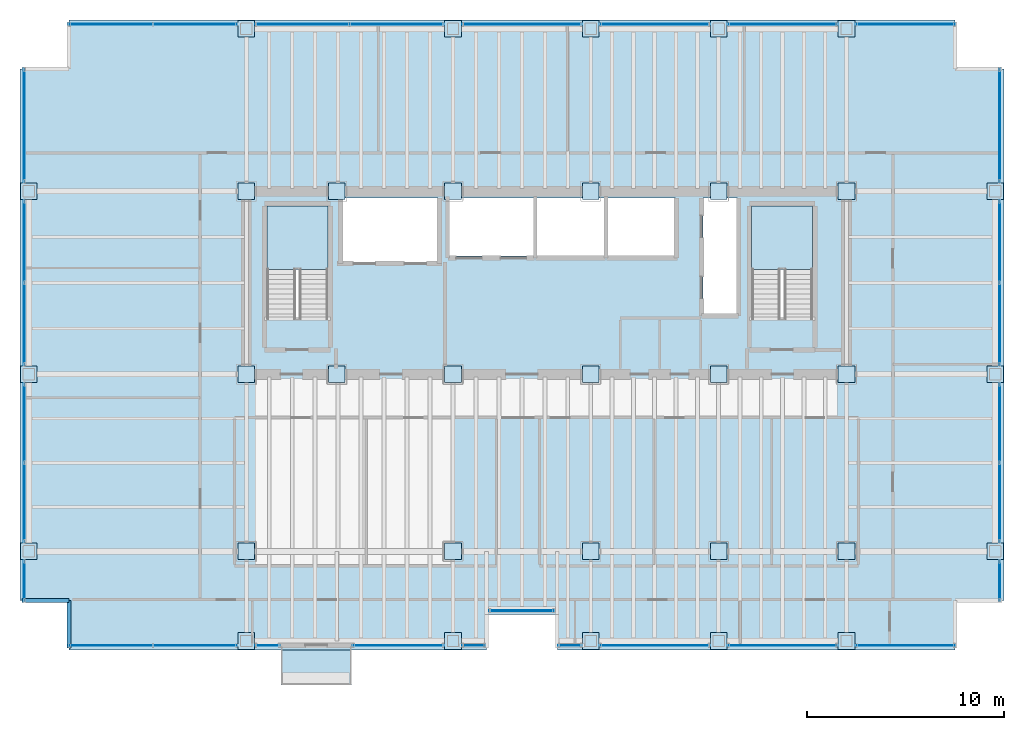
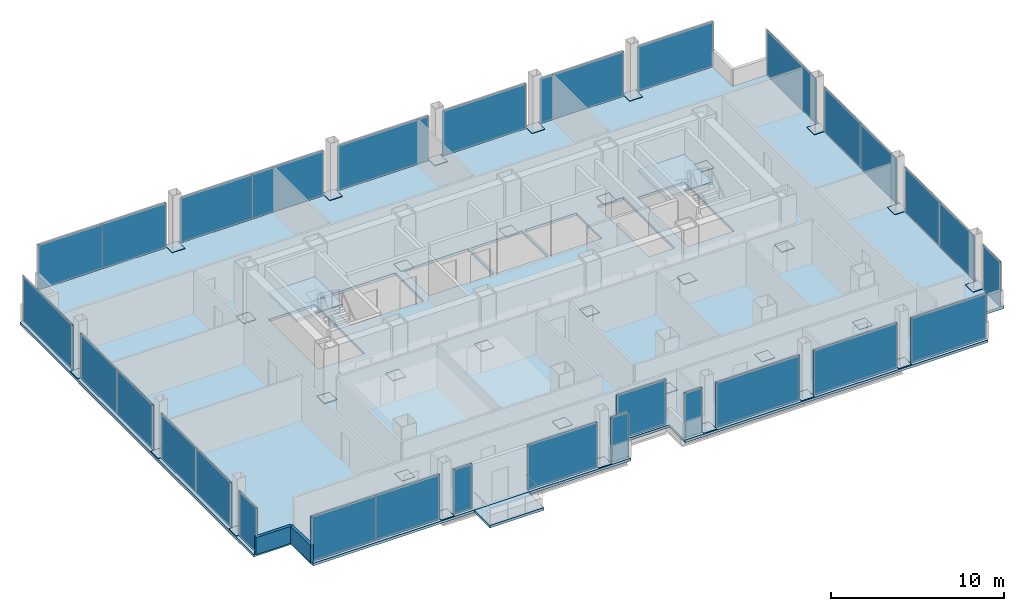
# One storey, part 17 of 21: 63 plates, 4 slabs, 2 walls, 7 openings, 25 elements without a shape of their own.
"""IFC4 building model written with IfcOpenShell, lengths in metres."""

from ifc_helpers import new_model, si_unit, direction, frame, frame_2d, origin, origin_2d, place, context, subcontext, project, spatial, polyline, rectangle, outline, extrude, material, layer, layer_set, type_object, element, aggregate, save


model = new_model("IFC4")

# Units and contexts
model_context = context("Model", 3, precision=1e-05, world=origin(), true_north=direction((0.0, 1.0)))
body_context = subcontext(model_context, "Body", "Model", "MODEL_VIEW")
ifc_project = project(units=[si_unit("LENGTHUNIT", "METRE"), si_unit("AREAUNIT", "SQUARE_METRE"), si_unit("VOLUMEUNIT", "CUBIC_METRE"), si_unit("PLANEANGLEUNIT", "RADIAN"), si_unit("MASSUNIT", "GRAM", prefix="KILO")], contexts=[model_context])

# Site, building, storey
site_placement = place(None, origin())
site = spatial("IfcSite", under=ifc_project, at=site_placement, CompositionType="ELEMENT")
building_placement = place(site_placement, origin())
building = spatial("IfcBuilding", under=site, at=building_placement, Name="Noeulbin Bourse Tower", CompositionType="ELEMENT")
storey_placement = place(building_placement, frame((0.0, 0.0, 34.300048828125)))
storey = spatial("IfcBuildingStorey", under=building, at=storey_placement, Name="L08", CompositionType="ELEMENT", Elevation=34.300048828125)

# Curtain wall, plate
ifc_material_1 = material(Name="Dark Solar-Control Double Glazing", Category="glass")
curtain_wall_type = type_object("IfcCurtainWallType", Name="CW-SYS-2", PredefinedType="NOTDEFINED", material=ifc_material_1)
curtain_wall_1_placement = place(storey_placement, origin())
curtain_wall_1 = element("IfcCurtainWall", 1, at=curtain_wall_1_placement, inside=storey, type_object=curtain_wall_type, Name="Unitised Curtain Wall CW-L08-SREC", PredefinedType="NOTDEFINED")
ifc_layer_1 = layer(ifc_material_1, 0.035888671875)
ifc_layer_set_1 = layer_set([ifc_layer_1], Name="Dark Solar-Control Double Glazing")
plate_type_1 = type_object("IfcPlateType", Name="CW-SYS-2-PNL", PredefinedType="CURTAIN_PANEL", material=ifc_layer_set_1)
plate_1_placement = place(storey_placement, frame((27.5, 16.97998046875, 0.0), z_axis=(0.0, 0.0, 1.0), x_axis=(1.0, 0.0, 0.0)))
plate_1 = element("IfcPlate", 2, at=plate_1_placement, type_object=plate_type_1, Name="Glazed Curtain Panel CW-L08-SREC-P00", PredefinedType="CURTAIN_PANEL", context=body_context, shape_type="SweptSolid", body=[
    extrude(rectangle(XDim=3.300048828125, YDim=0.035888671875, at=origin_2d()), origin(), (0.0, 0.0, 1.0), 3.179931640625),
])
aggregate(curtain_wall_1, [plate_1])

# Curtain wall, plates
curtain_wall_2_placement = place(storey_placement, origin())
curtain_wall_2 = element("IfcCurtainWall", 3, at=curtain_wall_2_placement, inside=storey, type_object=curtain_wall_type, Name="Unitised Curtain Wall CW-L08-S1-S1", PredefinedType="NOTDEFINED")
plate_2_placement = place(storey_placement, frame((6.6201171875, 15.219970703125, 0.0), z_axis=(0.0, 0.0, 1.0), x_axis=(1.0, 0.0, 0.0)))
plate_2 = element("IfcPlate", 4, at=plate_2_placement, type_object=plate_type_1, Name="Glazed Curtain Panel CW-L08-S1-S1-P00", PredefinedType="CURTAIN_PANEL", context=body_context, shape_type="SweptSolid", body=[
    extrude(rectangle(XDim=4.280029296875, YDim=0.035888671875, at=origin_2d()), origin(), (0.0, 0.0, 1.0), 3.179931640625),
])
plate_3_placement = place(storey_placement, frame((10.89990234375, 15.219970703125, 0.0), z_axis=(0.0, 0.0, 1.0), x_axis=(1.0, 0.0, 0.0)))
plate_3 = element("IfcPlate", 5, at=plate_3_placement, type_object=plate_type_1, Name="Glazed Curtain Panel CW-L08-S1-S1-P01", PredefinedType="CURTAIN_PANEL", context=body_context, shape_type="SweptSolid", body=[
    extrude(rectangle(XDim=4.280029296875, YDim=0.035888671875, at=origin_2d()), origin(), (0.0, 0.0, 1.0), 3.179931640625),
])
aggregate(curtain_wall_2, [plate_2, plate_3])

# Curtain wall, plate
curtain_wall_3_placement = place(storey_placement, origin())
curtain_wall_3 = element("IfcCurtainWall", 6, at=curtain_wall_3_placement, inside=storey, type_object=curtain_wall_type, Name="Unitised Curtain Wall CW-L08-S1-S2", PredefinedType="NOTDEFINED")
plate_4_placement = place(storey_placement, frame((14.580078125, 15.219970703125, 0.0), z_axis=(0.0, 0.0, 1.0), x_axis=(1.0, 0.0, 0.0)))
plate_4 = element("IfcPlate", 7, at=plate_4_placement, type_object=plate_type_1, Name="Glazed Curtain Panel CW-L08-S1-S2-P00", PredefinedType="CURTAIN_PANEL", context=body_context, shape_type="SweptSolid", body=[
    extrude(rectangle(XDim=1.239990234375, YDim=0.035888671875, at=origin_2d()), origin(), (0.0, 0.0, 1.0), 3.179931640625),
])
aggregate(curtain_wall_3, [plate_4])

curtain_wall_4_placement = place(storey_placement, origin())
curtain_wall_4 = element("IfcCurtainWall", 8, at=curtain_wall_4_placement, inside=storey, type_object=curtain_wall_type, Name="Unitised Curtain Wall CW-L08-S2-S1", PredefinedType="NOTDEFINED")
plate_5_placement = place(storey_placement, frame((21.219970703125, 15.219970703125, 0.0), z_axis=(0.0, 0.0, 1.0), x_axis=(1.0, 0.0, 0.0)))
plate_5 = element("IfcPlate", 9, at=plate_5_placement, type_object=plate_type_1, Name="Glazed Curtain Panel CW-L08-S2-S1-P00", PredefinedType="CURTAIN_PANEL", context=body_context, shape_type="SweptSolid", body=[
    extrude(rectangle(XDim=4.639892578125, YDim=0.035888671875, at=origin_2d()), origin(), (0.0, 0.0, 1.0), 3.179931640625),
])
aggregate(curtain_wall_4, [plate_5])

curtain_wall_5_placement = place(storey_placement, origin())
curtain_wall_5 = element("IfcCurtainWall", 10, at=curtain_wall_5_placement, inside=storey, type_object=curtain_wall_type, Name="Unitised Curtain Wall CW-L08-S2-S2", PredefinedType="NOTDEFINED")
plate_6_placement = place(storey_placement, frame((25.054931640625, 15.219970703125, 0.0), z_axis=(0.0, 0.0, 1.0), x_axis=(1.0, 0.0, 0.0)))
plate_6 = element("IfcPlate", 11, at=plate_6_placement, type_object=plate_type_1, Name="Glazed Curtain Panel CW-L08-S2-S2-P00", PredefinedType="CURTAIN_PANEL", context=body_context, shape_type="SweptSolid", body=[
    extrude(rectangle(XDim=1.18994140625, YDim=0.035888671875, at=origin_2d()), origin(), (0.0, 0.0, 1.0), 3.179931640625),
])
aggregate(curtain_wall_5, [plate_6])

curtain_wall_6_placement = place(storey_placement, origin())
curtain_wall_6 = element("IfcCurtainWall", 12, at=curtain_wall_6_placement, inside=storey, type_object=curtain_wall_type, Name="Unitised Curtain Wall CW-L08-S3-S1", PredefinedType="NOTDEFINED")
plate_7_placement = place(storey_placement, frame((29.945068359375, 15.219970703125, 0.0), z_axis=(0.0, 0.0, 1.0), x_axis=(1.0, 0.0, 0.0)))
plate_7 = element("IfcPlate", 13, at=plate_7_placement, type_object=plate_type_1, Name="Glazed Curtain Panel CW-L08-S3-S1-P00", PredefinedType="CURTAIN_PANEL", context=body_context, shape_type="SweptSolid", body=[
    extrude(rectangle(XDim=1.18994140625, YDim=0.035888671875, at=origin_2d()), origin(), (0.0, 0.0, 1.0), 3.179931640625),
])
aggregate(curtain_wall_6, [plate_7])

curtain_wall_7_placement = place(storey_placement, origin())
curtain_wall_7 = element("IfcCurtainWall", 14, at=curtain_wall_7_placement, inside=storey, type_object=curtain_wall_type, Name="Unitised Curtain Wall CW-L08-S3-S2", PredefinedType="NOTDEFINED")
plate_8_placement = place(storey_placement, frame((34.25, 15.219970703125, 0.0), z_axis=(0.0, 0.0, 1.0), x_axis=(1.0, 0.0, 0.0)))
plate_8 = element("IfcPlate", 15, at=plate_8_placement, type_object=plate_type_1, Name="Glazed Curtain Panel CW-L08-S3-S2-P00", PredefinedType="CURTAIN_PANEL", context=body_context, shape_type="SweptSolid", body=[
    extrude(rectangle(XDim=5.580078125, YDim=0.035888671875, at=origin_2d()), origin(), (0.0, 0.0, 1.0), 3.179931640625),
])
aggregate(curtain_wall_7, [plate_8])

curtain_wall_8_placement = place(storey_placement, origin())
curtain_wall_8 = element("IfcCurtainWall", 16, at=curtain_wall_8_placement, inside=storey, type_object=curtain_wall_type, Name="Unitised Curtain Wall CW-L08-S3-S3", PredefinedType="NOTDEFINED")
plate_9_placement = place(storey_placement, frame((40.75, 15.219970703125, 0.0), z_axis=(0.0, 0.0, 1.0), x_axis=(1.0, 0.0, 0.0)))
plate_9 = element("IfcPlate", 17, at=plate_9_placement, type_object=plate_type_1, Name="Glazed Curtain Panel CW-L08-S3-S3-P00", PredefinedType="CURTAIN_PANEL", context=body_context, shape_type="SweptSolid", body=[
    extrude(rectangle(XDim=5.580078125, YDim=0.035888671875, at=origin_2d()), origin(), (0.0, 0.0, 1.0), 3.179931640625),
])
aggregate(curtain_wall_8, [plate_9])

curtain_wall_9_placement = place(storey_placement, origin())
curtain_wall_9 = element("IfcCurtainWall", 18, at=curtain_wall_9_placement, inside=storey, type_object=curtain_wall_type, Name="Unitised Curtain Wall CW-L08-S3-S4", PredefinedType="NOTDEFINED")
plate_10_placement = place(storey_placement, frame((46.989990234375, 15.219970703125, 0.0), z_axis=(0.0, 0.0, 1.0), x_axis=(1.0, 0.0, 0.0)))
plate_10 = element("IfcPlate", 19, at=plate_10_placement, type_object=plate_type_1, Name="Glazed Curtain Panel CW-L08-S3-S4-P00", PredefinedType="CURTAIN_PANEL", context=body_context, shape_type="SweptSolid", body=[
    extrude(rectangle(XDim=5.06005859375, YDim=0.035888671875, at=origin_2d()), origin(), (0.0, 0.0, 1.0), 3.179931640625),
])
aggregate(curtain_wall_9, [plate_10])

# Curtain wall, plates
curtain_wall_10_placement = place(storey_placement, origin())
curtain_wall_10 = element("IfcCurtainWall", 20, at=curtain_wall_10_placement, inside=storey, type_object=curtain_wall_type, Name="Unitised Curtain Wall CW-L08-N-S1", PredefinedType="NOTDEFINED")
plate_11_placement = place(storey_placement, frame((6.6201171875, 46.780029296875, 0.0), z_axis=(0.0, 0.0, 1.0), x_axis=(1.0, 0.0, 0.0)))
plate_11 = element("IfcPlate", 21, at=plate_11_placement, type_object=plate_type_1, Name="Glazed Curtain Panel CW-L08-N-S1-P00", PredefinedType="CURTAIN_PANEL", context=body_context, shape_type="SweptSolid", body=[
    extrude(rectangle(XDim=4.280029296875, YDim=0.035888671875, at=origin_2d()), origin(), (0.0, 0.0, 1.0), 3.179931640625),
])
plate_12_placement = place(storey_placement, frame((10.89990234375, 46.780029296875, 0.0), z_axis=(0.0, 0.0, 1.0), x_axis=(1.0, 0.0, 0.0)))
plate_12 = element("IfcPlate", 22, at=plate_12_placement, type_object=plate_type_1, Name="Glazed Curtain Panel CW-L08-N-S1-P01", PredefinedType="CURTAIN_PANEL", context=body_context, shape_type="SweptSolid", body=[
    extrude(rectangle(XDim=4.280029296875, YDim=0.035888671875, at=origin_2d()), origin(), (0.0, 0.0, 1.0), 3.179931640625),
])
aggregate(curtain_wall_10, [plate_11, plate_12])

curtain_wall_11_placement = place(storey_placement, origin())
curtain_wall_11 = element("IfcCurtainWall", 23, at=curtain_wall_11_placement, inside=storey, type_object=curtain_wall_type, Name="Unitised Curtain Wall CW-L08-N-S2", PredefinedType="NOTDEFINED")
plate_13_placement = place(storey_placement, frame((16.35498046875, 46.780029296875, 0.0), z_axis=(0.0, 0.0, 1.0), x_axis=(1.0, 0.0, 0.0)))
plate_13 = element("IfcPlate", 24, at=plate_13_placement, type_object=plate_type_1, Name="Glazed Curtain Panel CW-L08-N-S2-P00", PredefinedType="CURTAIN_PANEL", context=body_context, shape_type="SweptSolid", body=[
    extrude(rectangle(XDim=4.7900390625, YDim=0.035888671875, at=origin_2d()), origin(), (0.0, 0.0, 1.0), 3.179931640625),
])
plate_14_placement = place(storey_placement, frame((21.14501953125, 46.780029296875, 0.0), z_axis=(0.0, 0.0, 1.0), x_axis=(1.0, 0.0, 0.0)))
plate_14 = element("IfcPlate", 25, at=plate_14_placement, type_object=plate_type_1, Name="Glazed Curtain Panel CW-L08-N-S2-P01", PredefinedType="CURTAIN_PANEL", context=body_context, shape_type="SweptSolid", body=[
    extrude(rectangle(XDim=4.7900390625, YDim=0.035888671875, at=origin_2d()), origin(), (0.0, 0.0, 1.0), 3.179931640625),
])
aggregate(curtain_wall_11, [plate_13, plate_14])

# Curtain wall, plate
curtain_wall_12_placement = place(storey_placement, origin())
curtain_wall_12 = element("IfcCurtainWall", 26, at=curtain_wall_12_placement, inside=storey, type_object=curtain_wall_type, Name="Unitised Curtain Wall CW-L08-N-S3", PredefinedType="NOTDEFINED")
plate_15_placement = place(storey_placement, frame((27.5, 46.780029296875, 0.0), z_axis=(0.0, 0.0, 1.0), x_axis=(1.0, 0.0, 0.0)))
plate_15 = element("IfcPlate", 27, at=plate_15_placement, type_object=plate_type_1, Name="Glazed Curtain Panel CW-L08-N-S3-P00", PredefinedType="CURTAIN_PANEL", context=body_context, shape_type="SweptSolid", body=[
    extrude(rectangle(XDim=6.080078125, YDim=0.035888671875, at=origin_2d()), origin(), (0.0, 0.0, 1.0), 3.179931640625),
])
aggregate(curtain_wall_12, [plate_15])

curtain_wall_13_placement = place(storey_placement, origin())
curtain_wall_13 = element("IfcCurtainWall", 28, at=curtain_wall_13_placement, inside=storey, type_object=curtain_wall_type, Name="Unitised Curtain Wall CW-L08-N-S4", PredefinedType="NOTDEFINED")
plate_16_placement = place(storey_placement, frame((34.25, 46.780029296875, 0.0), z_axis=(0.0, 0.0, 1.0), x_axis=(1.0, 0.0, 0.0)))
plate_16 = element("IfcPlate", 29, at=plate_16_placement, type_object=plate_type_1, Name="Glazed Curtain Panel CW-L08-N-S4-P00", PredefinedType="CURTAIN_PANEL", context=body_context, shape_type="SweptSolid", body=[
    extrude(rectangle(XDim=5.580078125, YDim=0.035888671875, at=origin_2d()), origin(), (0.0, 0.0, 1.0), 3.179931640625),
])
aggregate(curtain_wall_13, [plate_16])

curtain_wall_14_placement = place(storey_placement, origin())
curtain_wall_14 = element("IfcCurtainWall", 30, at=curtain_wall_14_placement, inside=storey, type_object=curtain_wall_type, Name="Unitised Curtain Wall CW-L08-N-S5", PredefinedType="NOTDEFINED")
plate_17_placement = place(storey_placement, frame((40.75, 46.780029296875, 0.0), z_axis=(0.0, 0.0, 1.0), x_axis=(1.0, 0.0, 0.0)))
plate_17 = element("IfcPlate", 31, at=plate_17_placement, type_object=plate_type_1, Name="Glazed Curtain Panel CW-L08-N-S5-P00", PredefinedType="CURTAIN_PANEL", context=body_context, shape_type="SweptSolid", body=[
    extrude(rectangle(XDim=5.580078125, YDim=0.035888671875, at=origin_2d()), origin(), (0.0, 0.0, 1.0), 3.179931640625),
])
aggregate(curtain_wall_14, [plate_17])

curtain_wall_15_placement = place(storey_placement, origin())
curtain_wall_15 = element("IfcCurtainWall", 32, at=curtain_wall_15_placement, inside=storey, type_object=curtain_wall_type, Name="Unitised Curtain Wall CW-L08-N-S6", PredefinedType="NOTDEFINED")
plate_18_placement = place(storey_placement, frame((46.989990234375, 46.780029296875, 0.0), z_axis=(0.0, 0.0, 1.0), x_axis=(1.0, 0.0, 0.0)))
plate_18 = element("IfcPlate", 33, at=plate_18_placement, type_object=plate_type_1, Name="Glazed Curtain Panel CW-L08-N-S6-P00", PredefinedType="CURTAIN_PANEL", context=body_context, shape_type="SweptSolid", body=[
    extrude(rectangle(XDim=5.06005859375, YDim=0.035888671875, at=origin_2d()), origin(), (0.0, 0.0, 1.0), 3.179931640625),
])
aggregate(curtain_wall_15, [plate_18])

curtain_wall_16_placement = place(storey_placement, origin())
curtain_wall_16 = element("IfcCurtainWall", 34, at=curtain_wall_16_placement, inside=storey, type_object=curtain_wall_type, Name="Unitised Curtain Wall CW-L08-W-S1", PredefinedType="NOTDEFINED")
plate_19_placement = place(storey_placement, frame((2.219970703125, 18.510009765625, 0.0), z_axis=(0.0, 0.0, 1.0), x_axis=(0.0, 1.0, 0.0)))
plate_19 = element("IfcPlate", 35, at=plate_19_placement, type_object=plate_type_1, Name="Glazed Curtain Panel CW-L08-W-S1-P00", PredefinedType="CURTAIN_PANEL", context=body_context, shape_type="SweptSolid", body=[
    extrude(rectangle(XDim=2.06005859375, YDim=0.035888671875, at=origin_2d()), origin(), (0.0, 0.0, 1.0), 3.179931640625),
])
aggregate(curtain_wall_16, [plate_19])

# Curtain wall, plates
curtain_wall_17_placement = place(storey_placement, origin())
curtain_wall_17 = element("IfcCurtainWall", 36, at=curtain_wall_17_placement, inside=storey, type_object=curtain_wall_type, Name="Unitised Curtain Wall CW-L08-W-S2", PredefinedType="NOTDEFINED")
plate_20_placement = place(storey_placement, frame((2.219970703125, 22.47998046875, 0.0), z_axis=(0.0, 0.0, 1.0), x_axis=(0.0, 1.0, 0.0)))
plate_20 = element("IfcPlate", 37, at=plate_20_placement, type_object=plate_type_1, Name="Glazed Curtain Panel CW-L08-W-S2-P00", PredefinedType="CURTAIN_PANEL", context=body_context, shape_type="SweptSolid", body=[
    extrude(rectangle(XDim=4.0400390625, YDim=0.035888671875, at=origin_2d()), origin(), (0.0, 0.0, 1.0), 3.179931640625),
])
plate_21_placement = place(storey_placement, frame((2.219970703125, 26.52001953125, 0.0), z_axis=(0.0, 0.0, 1.0), x_axis=(0.0, 1.0, 0.0)))
plate_21 = element("IfcPlate", 38, at=plate_21_placement, type_object=plate_type_1, Name="Glazed Curtain Panel CW-L08-W-S2-P01", PredefinedType="CURTAIN_PANEL", context=body_context, shape_type="SweptSolid", body=[
    extrude(rectangle(XDim=4.0400390625, YDim=0.035888671875, at=origin_2d()), origin(), (0.0, 0.0, 1.0), 3.179931640625),
])
aggregate(curtain_wall_17, [plate_20, plate_21])

curtain_wall_18_placement = place(storey_placement, origin())
curtain_wall_18 = element("IfcCurtainWall", 39, at=curtain_wall_18_placement, inside=storey, type_object=curtain_wall_type, Name="Unitised Curtain Wall CW-L08-W-S3", PredefinedType="NOTDEFINED")
plate_22_placement = place(storey_placement, frame((2.219970703125, 31.554931640625, 0.0), z_axis=(0.0, 0.0, 1.0), x_axis=(0.0, 1.0, 0.0)))
plate_22 = element("IfcPlate", 40, at=plate_22_placement, type_object=plate_type_1, Name="Glazed Curtain Panel CW-L08-W-S3-P00", PredefinedType="CURTAIN_PANEL", context=body_context, shape_type="SweptSolid", body=[
    extrude(rectangle(XDim=4.18994140625, YDim=0.035888671875, at=origin_2d()), origin(), (0.0, 0.0, 1.0), 3.179931640625),
])
plate_23_placement = place(storey_placement, frame((2.219970703125, 35.7451171875, 0.0), z_axis=(0.0, 0.0, 1.0), x_axis=(0.0, 1.0, 0.0)))
plate_23 = element("IfcPlate", 41, at=plate_23_placement, type_object=plate_type_1, Name="Glazed Curtain Panel CW-L08-W-S3-P01", PredefinedType="CURTAIN_PANEL", context=body_context, shape_type="SweptSolid", body=[
    extrude(rectangle(XDim=4.18994140625, YDim=0.035888671875, at=origin_2d()), origin(), (0.0, 0.0, 1.0), 3.179931640625),
])
aggregate(curtain_wall_18, [plate_22, plate_23])

# Curtain wall, plate
curtain_wall_19_placement = place(storey_placement, origin())
curtain_wall_19 = element("IfcCurtainWall", 42, at=curtain_wall_19_placement, inside=storey, type_object=curtain_wall_type, Name="Unitised Curtain Wall CW-L08-W-S4", PredefinedType="NOTDEFINED")
plate_24_placement = place(storey_placement, frame((2.219970703125, 41.639892578125, 0.0), z_axis=(0.0, 0.0, 1.0), x_axis=(0.0, 1.0, 0.0)))
plate_24 = element("IfcPlate", 43, at=plate_24_placement, type_object=plate_type_1, Name="Glazed Curtain Panel CW-L08-W-S4-P00", PredefinedType="CURTAIN_PANEL", context=body_context, shape_type="SweptSolid", body=[
    extrude(rectangle(XDim=5.760009765625, YDim=0.035888671875, at=origin_2d()), origin(), (0.0, 0.0, 1.0), 3.179931640625),
])
aggregate(curtain_wall_19, [plate_24])

curtain_wall_20_placement = place(storey_placement, origin())
curtain_wall_20 = element("IfcCurtainWall", 44, at=curtain_wall_20_placement, inside=storey, type_object=curtain_wall_type, Name="Unitised Curtain Wall CW-L08-E-S1", PredefinedType="NOTDEFINED")
plate_25_placement = place(storey_placement, frame((51.780029296875, 18.510009765625, 0.0), z_axis=(0.0, 0.0, 1.0), x_axis=(0.0, 1.0, 0.0)))
plate_25 = element("IfcPlate", 45, at=plate_25_placement, type_object=plate_type_1, Name="Glazed Curtain Panel CW-L08-E-S1-P00", PredefinedType="CURTAIN_PANEL", context=body_context, shape_type="SweptSolid", body=[
    extrude(rectangle(XDim=2.06005859375, YDim=0.035888671875, at=origin_2d()), origin(), (0.0, 0.0, 1.0), 3.179931640625),
])
aggregate(curtain_wall_20, [plate_25])

# Curtain wall, plates
curtain_wall_21_placement = place(storey_placement, origin())
curtain_wall_21 = element("IfcCurtainWall", 46, at=curtain_wall_21_placement, inside=storey, type_object=curtain_wall_type, Name="Unitised Curtain Wall CW-L08-E-S2", PredefinedType="NOTDEFINED")
plate_26_placement = place(storey_placement, frame((51.780029296875, 22.47998046875, 0.0), z_axis=(0.0, 0.0, 1.0), x_axis=(0.0, 1.0, 0.0)))
plate_26 = element("IfcPlate", 47, at=plate_26_placement, type_object=plate_type_1, Name="Glazed Curtain Panel CW-L08-E-S2-P00", PredefinedType="CURTAIN_PANEL", context=body_context, shape_type="SweptSolid", body=[
    extrude(rectangle(XDim=4.0400390625, YDim=0.035888671875, at=origin_2d()), origin(), (0.0, 0.0, 1.0), 3.179931640625),
])
plate_27_placement = place(storey_placement, frame((51.780029296875, 26.52001953125, 0.0), z_axis=(0.0, 0.0, 1.0), x_axis=(0.0, 1.0, 0.0)))
plate_27 = element("IfcPlate", 48, at=plate_27_placement, type_object=plate_type_1, Name="Glazed Curtain Panel CW-L08-E-S2-P01", PredefinedType="CURTAIN_PANEL", context=body_context, shape_type="SweptSolid", body=[
    extrude(rectangle(XDim=4.0400390625, YDim=0.035888671875, at=origin_2d()), origin(), (0.0, 0.0, 1.0), 3.179931640625),
])
aggregate(curtain_wall_21, [plate_26, plate_27])

curtain_wall_22_placement = place(storey_placement, origin())
curtain_wall_22 = element("IfcCurtainWall", 49, at=curtain_wall_22_placement, inside=storey, type_object=curtain_wall_type, Name="Unitised Curtain Wall CW-L08-E-S3", PredefinedType="NOTDEFINED")
plate_28_placement = place(storey_placement, frame((51.780029296875, 31.554931640625, 0.0), z_axis=(0.0, 0.0, 1.0), x_axis=(0.0, 1.0, 0.0)))
plate_28 = element("IfcPlate", 50, at=plate_28_placement, type_object=plate_type_1, Name="Glazed Curtain Panel CW-L08-E-S3-P00", PredefinedType="CURTAIN_PANEL", context=body_context, shape_type="SweptSolid", body=[
    extrude(rectangle(XDim=4.18994140625, YDim=0.035888671875, at=origin_2d()), origin(), (0.0, 0.0, 1.0), 3.179931640625),
])
plate_29_placement = place(storey_placement, frame((51.780029296875, 35.7451171875, 0.0), z_axis=(0.0, 0.0, 1.0), x_axis=(0.0, 1.0, 0.0)))
plate_29 = element("IfcPlate", 51, at=plate_29_placement, type_object=plate_type_1, Name="Glazed Curtain Panel CW-L08-E-S3-P01", PredefinedType="CURTAIN_PANEL", context=body_context, shape_type="SweptSolid", body=[
    extrude(rectangle(XDim=4.18994140625, YDim=0.035888671875, at=origin_2d()), origin(), (0.0, 0.0, 1.0), 3.179931640625),
])
aggregate(curtain_wall_22, [plate_28, plate_29])

# Curtain wall, plate
curtain_wall_23_placement = place(storey_placement, origin())
curtain_wall_23 = element("IfcCurtainWall", 52, at=curtain_wall_23_placement, inside=storey, type_object=curtain_wall_type, Name="Unitised Curtain Wall CW-L08-E-S4", PredefinedType="NOTDEFINED")
plate_30_placement = place(storey_placement, frame((51.780029296875, 41.639892578125, 0.0), z_axis=(0.0, 0.0, 1.0), x_axis=(0.0, 1.0, 0.0)))
plate_30 = element("IfcPlate", 53, at=plate_30_placement, type_object=plate_type_1, Name="Glazed Curtain Panel CW-L08-E-S4-P00", PredefinedType="CURTAIN_PANEL", context=body_context, shape_type="SweptSolid", body=[
    extrude(rectangle(XDim=5.760009765625, YDim=0.035888671875, at=origin_2d()), origin(), (0.0, 0.0, 1.0), 3.179931640625),
])
aggregate(curtain_wall_23, [plate_30])

# Plates
ifc_material_2 = material(Name="Steel S355", Category="steel")
ifc_layer_2 = layer(ifc_material_2, 0.030029296875)
ifc_layer_set_2 = layer_set([ifc_layer_2], Name="Steel S355")
plate_type_2 = type_object("IfcPlateType", Name="PLT-BN1", PredefinedType="USERDEFINED", material=ifc_layer_set_2)
for number, where, z_axis, x_axis, name in (
    (54, (13.5, 29.0, 0.0048828125), (0.0, 0.0, 1.0), (1.0, 0.0, 0.0), "Mega-Column Splice Plate BN1-L08-01"),
    (55, (13.5, 38.300048828125, 0.0048828125), (0.0, 0.0, 1.0), (1.0, 0.0, 0.0), "Mega-Column Splice Plate BN1-L08-02"),
    (56, (18.10009765625, 29.0, 0.0048828125), (0.0, 0.0, 1.0), (1.0, 0.0, 0.0), "Mega-Column Splice Plate BN1-L08-03"),
    (57, (18.10009765625, 38.300048828125, 0.0048828125), (0.0, 0.0, 1.0), (1.0, 0.0, 0.0), "Mega-Column Splice Plate BN1-L08-04"),
    (58, (24.0, 29.0, 0.0048828125), (0.0, 0.0, 1.0), (1.0, 0.0, 0.0), "Mega-Column Splice Plate BN1-L08-05"),
    (59, (24.0, 38.300048828125, 0.0048828125), (0.0, 0.0, 1.0), (1.0, 0.0, 0.0), "Mega-Column Splice Plate BN1-L08-06"),
    (60, (31.0, 29.0, 0.0048828125), (0.0, 0.0, 1.0), (1.0, 0.0, 0.0), "Mega-Column Splice Plate BN1-L08-07"),
    (61, (31.0, 38.300048828125, 0.0048828125), (0.0, 0.0, 1.0), (1.0, 0.0, 0.0), "Mega-Column Splice Plate BN1-L08-08"),
    (62, (37.5, 29.0, 0.0048828125), (0.0, 0.0, 1.0), (1.0, 0.0, 0.0), "Mega-Column Splice Plate BN1-L08-09"),
    (63, (37.5, 38.300048828125, 0.0048828125), (0.0, 0.0, 1.0), (1.0, 0.0, 0.0), "Mega-Column Splice Plate BN1-L08-10"),
    (64, (44.0, 29.0, 0.0048828125), (0.0, 0.0, 1.0), (1.0, 0.0, 0.0), "Mega-Column Splice Plate BN1-L08-11"),
    (65, (44.0, 38.300048828125, 0.0048828125), (0.0, 0.0, 1.0), (1.0, 0.0, 0.0), "Mega-Column Splice Plate BN1-L08-12"),
    (66, (13.5, 20.0, 0.0048828125), (0.0, 0.0, 1.0), (1.0, 0.0, 0.0), "Mega-Column Splice Plate BN1-L08-13"),
    (67, (24.0, 20.0, 0.0048828125), (0.0, 0.0, 1.0), (1.0, 0.0, 0.0), "Mega-Column Splice Plate BN1-L08-14"),
    (68, (31.0, 20.0, 0.0048828125), (0.0, 0.0, 1.0), (1.0, 0.0, 0.0), "Mega-Column Splice Plate BN1-L08-15"),
    (69, (37.5, 20.0, 0.0048828125), (0.0, 0.0, 1.0), (1.0, 0.0, 0.0), "Mega-Column Splice Plate BN1-L08-16"),
    (70, (44.0, 20.0, 0.0048828125), (0.0, 0.0, 1.0), (1.0, 0.0, 0.0), "Mega-Column Splice Plate BN1-L08-17"),
    (71, (2.449951171875, 20.0, 0.0048828125), (0.0, 0.0, 1.0), (1.0, 0.0, 0.0), "Perimeter Column Splice Plate BN1-L08-01"),
    (72, (2.449951171875, 29.0, 0.0048828125), (0.0, 0.0, 1.0), (1.0, 0.0, 0.0), "Perimeter Column Splice Plate BN1-L08-02"),
    (73, (2.449951171875, 38.300048828125, 0.0048828125), (0.0, 0.0, 1.0), (1.0, 0.0, 0.0), "Perimeter Column Splice Plate BN1-L08-03"),
    (74, (13.5, 15.449951171875, 0.0048828125), (0.0, 0.0, 1.0), (1.0, 0.0, 0.0), "Perimeter Column Splice Plate BN1-L08-04"),
    (75, (13.5, 46.550048828125, 0.0048828125), (0.0, 0.0, 1.0), (1.0, 0.0, 0.0), "Perimeter Column Splice Plate BN1-L08-05"),
    (76, (24.0, 15.449951171875, 0.0048828125), (0.0, 0.0, 1.0), (1.0, 0.0, 0.0), "Perimeter Column Splice Plate BN1-L08-06"),
    (77, (24.0, 46.550048828125, 0.0048828125), (0.0, 0.0, 1.0), (1.0, 0.0, 0.0), "Perimeter Column Splice Plate BN1-L08-07"),
    (78, (31.0, 15.449951171875, 0.0048828125), (0.0, 0.0, 1.0), (1.0, 0.0, 0.0), "Perimeter Column Splice Plate BN1-L08-08"),
    (79, (31.0, 46.550048828125, 0.0048828125), (0.0, 0.0, 1.0), (1.0, 0.0, 0.0), "Perimeter Column Splice Plate BN1-L08-09"),
    (80, (37.5, 15.449951171875, 0.0048828125), (0.0, 0.0, 1.0), (1.0, 0.0, 0.0), "Perimeter Column Splice Plate BN1-L08-10"),
    (81, (37.5, 46.550048828125, 0.0048828125), (0.0, 0.0, 1.0), (1.0, 0.0, 0.0), "Perimeter Column Splice Plate BN1-L08-11"),
    (82, (44.0, 15.449951171875, 0.0048828125), (0.0, 0.0, 1.0), (1.0, 0.0, 0.0), "Perimeter Column Splice Plate BN1-L08-12"),
    (83, (44.0, 46.550048828125, 0.0048828125), (0.0, 0.0, 1.0), (1.0, 0.0, 0.0), "Perimeter Column Splice Plate BN1-L08-13"),
    (84, (51.550048828125, 20.0, 0.0048828125), (0.0, 0.0, 1.0), (1.0, 0.0, 0.0), "Perimeter Column Splice Plate BN1-L08-14"),
    (85, (51.550048828125, 29.0, 0.0048828125), (0.0, 0.0, 1.0), (1.0, 0.0, 0.0), "Perimeter Column Splice Plate BN1-L08-15"),
    (86, (51.550048828125, 38.300048828125, 0.0048828125), (0.0, 0.0, 1.0), (1.0, 0.0, 0.0), "Perimeter Column Splice Plate BN1-L08-16"),
):
    element("IfcPlate", number, at=place(storey_placement, frame(where, z_axis=z_axis, x_axis=x_axis)), inside=storey, type_object=plate_type_2, Name=name, ObjectType="SPLICE PLATE", PredefinedType="USERDEFINED", context=body_context, shape_type="SweptSolid", body=[
        extrude(rectangle(XDim=0.85009765625, YDim=0.85009765625, at=origin_2d()), origin(), (0.0, 0.0, 1.0), 0.030029296875),
    ])

# Stair, slab
ifc_material_3 = material(Name="Concrete C40/50", Category="concrete")
stair_type = type_object("IfcStairType", Name="STR-CORE-1560", PredefinedType="HALF_TURN_STAIR", material=ifc_material_3)
stair_1_placement = place(storey_placement, origin())
stair_1 = element("IfcStair", 87, at=stair_1_placement, inside=storey, type_object=stair_type, Name="L08 ST-1", PredefinedType="HALF_TURN_STAIR")
ifc_layer_3 = layer(ifc_material_3, 0.199951171875)
ifc_layer_set_3 = layer_set([ifc_layer_3], Name="Concrete C40/50")
slab_type_1 = type_object("IfcSlabType", Name="SLB-LND-200", PredefinedType="LANDING", material=ifc_layer_set_3)
slab_1_placement = place(storey_placement, frame((0.0, 0.0, 1.75)))
slab_1 = element("IfcSlab", 88, at=slab_1_placement, type_object=slab_type_1, Name="ST-1 landing 1", PredefinedType="LANDING", context=body_context, shape_type="SweptSolid", body=[
    extrude(outline(polyline([(17.64990234375, 34.330078125), (17.64990234375, 37.5439453125), (14.550048828125, 37.5439453125), (14.550048828125, 34.330078125), (17.64990234375, 34.330078125)])), origin(), (0.0, 0.0, 1.0), 0.199951171875),
])
aggregate(stair_1, [slab_1])

stair_2_placement = place(storey_placement, origin())
stair_2 = element("IfcStair", 89, at=stair_2_placement, inside=storey, type_object=stair_type, Name="L08 ST-2", PredefinedType="HALF_TURN_STAIR")
slab_2_placement = place(storey_placement, frame((0.0, 0.0, 1.75)))
slab_2 = element("IfcSlab", 90, at=slab_2_placement, type_object=slab_type_1, Name="ST-2 landing 1", PredefinedType="LANDING", context=body_context, shape_type="SweptSolid", body=[
    extrude(outline(polyline([(42.280029296875, 34.330078125), (42.280029296875, 37.5439453125), (39.179931640625, 37.5439453125), (39.179931640625, 34.330078125), (42.280029296875, 34.330078125)])), origin(), (0.0, 0.0, 1.0), 0.199951171875),
])
aggregate(stair_2, [slab_2])

# Slab, openings
ifc_layer_4 = layer(ifc_material_3, 0.179931640625)
ifc_layer_set_4 = layer_set([ifc_layer_4], Name="Concrete C40/50")
slab_type_2 = type_object("IfcSlabType", Name="SLB-TYP-180", PredefinedType="FLOOR", material=ifc_layer_set_4)
slab_3_placement = place(storey_placement, frame((0.0, 0.0, -0.179931640625)))
slab_3 = element("IfcSlab", 91, at=slab_3_placement, inside=storey, type_object=slab_type_2, Name="Tower Structural Floor Slab L08", PredefinedType="FLOOR", context=body_context, shape_type="SweptSolid", body=[
    extrude(outline(polyline([(4.5, 15.0), (25.699951171875, 15.0), (25.699951171875, 16.800048828125), (29.300048828125, 16.800048828125), (29.300048828125, 15.0), (49.5, 15.0), (49.5, 17.5), (52.0, 17.5), (52.0, 44.5), (49.5, 44.5), (49.5, 47.0), (4.5, 47.0), (4.5, 44.5), (2.0, 44.5), (2.0, 17.5), (4.5, 17.5), (4.5, 15.0)]), holes=[polyline([(17.64990234375, 31.81005859375), (17.64990234375, 37.5439453125), (14.550048828125, 37.5439453125), (14.550048828125, 31.81005859375), (17.64990234375, 31.81005859375)]), polyline([(42.280029296875, 31.81005859375), (42.280029296875, 37.5439453125), (39.179931640625, 37.5439453125), (39.179931640625, 31.81005859375), (42.280029296875, 31.81005859375)]), polyline([(18.35009765625, 34.699951171875), (23.25, 34.699951171875), (23.25, 37.949951171875), (18.35009765625, 37.949951171875), (18.35009765625, 34.699951171875)]), polyline([(36.699951171875, 32.050048828125), (38.449951171875, 32.050048828125), (38.449951171875, 37.949951171875), (36.699951171875, 37.949951171875), (36.699951171875, 32.050048828125)]), polyline([(23.800048828125, 35.0), (28.10009765625, 35.0), (28.10009765625, 37.949951171875), (23.800048828125, 37.949951171875), (23.800048828125, 35.0)]), polyline([(28.25, 35.0), (31.699951171875, 35.0), (31.699951171875, 37.949951171875), (28.25, 37.949951171875), (28.25, 35.0)]), polyline([(31.85009765625, 35.0), (35.300048828125, 35.0), (35.300048828125, 37.949951171875), (31.85009765625, 37.949951171875), (31.85009765625, 35.0)])]), origin(), (0.0, 0.0, 1.0), 0.179931640625),
])
opening_1_placement = place(slab_3_placement, frame((0.0, 0.0, -0.010009765625)))
element("IfcOpeningElement", 92, at=opening_1_placement, cuts=slab_3, Name="Slab Shaft Opening SLB-L08-TWR-1", PredefinedType="OPENING", context=body_context, shape_type="SweptSolid", body=[
    extrude(outline(polyline([(17.64990234375, 31.81005859375), (17.64990234375, 37.5439453125), (14.550048828125, 37.5439453125), (14.550048828125, 31.81005859375), (17.64990234375, 31.81005859375)])), origin(), (0.0, 0.0, 1.0), 0.199951171875),
])
opening_2_placement = place(slab_3_placement, frame((0.0, 0.0, -0.010009765625)))
element("IfcOpeningElement", 93, at=opening_2_placement, cuts=slab_3, Name="Slab Shaft Opening SLB-L08-TWR-2", PredefinedType="OPENING", context=body_context, shape_type="SweptSolid", body=[
    extrude(outline(polyline([(42.280029296875, 31.81005859375), (42.280029296875, 37.5439453125), (39.179931640625, 37.5439453125), (39.179931640625, 31.81005859375), (42.280029296875, 31.81005859375)])), origin(), (0.0, 0.0, 1.0), 0.199951171875),
])
opening_3_placement = place(slab_3_placement, frame((0.0, 0.0, -0.010009765625)))
element("IfcOpeningElement", 94, at=opening_3_placement, cuts=slab_3, Name="Slab Shaft Opening SLB-L08-TWR-3", PredefinedType="OPENING", context=body_context, shape_type="SweptSolid", body=[
    extrude(outline(polyline([(18.35009765625, 34.699951171875), (23.25, 34.699951171875), (23.25, 37.949951171875), (18.35009765625, 37.949951171875), (18.35009765625, 34.699951171875)])), origin(), (0.0, 0.0, 1.0), 0.199951171875),
])
opening_4_placement = place(slab_3_placement, frame((0.0, 0.0, -0.010009765625)))
element("IfcOpeningElement", 95, at=opening_4_placement, cuts=slab_3, Name="Slab Shaft Opening SLB-L08-TWR-4", PredefinedType="OPENING", context=body_context, shape_type="SweptSolid", body=[
    extrude(outline(polyline([(36.699951171875, 32.050048828125), (38.449951171875, 32.050048828125), (38.449951171875, 37.949951171875), (36.699951171875, 37.949951171875), (36.699951171875, 32.050048828125)])), origin(), (0.0, 0.0, 1.0), 0.199951171875),
])
opening_5_placement = place(slab_3_placement, frame((0.0, 0.0, -0.010009765625)))
element("IfcOpeningElement", 96, at=opening_5_placement, cuts=slab_3, Name="Slab Shaft Opening SLB-L08-TWR-5", PredefinedType="OPENING", context=body_context, shape_type="SweptSolid", body=[
    extrude(outline(polyline([(23.800048828125, 35.0), (28.10009765625, 35.0), (28.10009765625, 37.949951171875), (23.800048828125, 37.949951171875), (23.800048828125, 35.0)])), origin(), (0.0, 0.0, 1.0), 0.199951171875),
])
opening_6_placement = place(slab_3_placement, frame((0.0, 0.0, -0.010009765625)))
element("IfcOpeningElement", 97, at=opening_6_placement, cuts=slab_3, Name="Slab Shaft Opening SLB-L08-TWR-6", PredefinedType="OPENING", context=body_context, shape_type="SweptSolid", body=[
    extrude(outline(polyline([(28.25, 35.0), (31.699951171875, 35.0), (31.699951171875, 37.949951171875), (28.25, 37.949951171875), (28.25, 35.0)])), origin(), (0.0, 0.0, 1.0), 0.199951171875),
])
opening_7_placement = place(slab_3_placement, frame((0.0, 0.0, -0.010009765625)))
element("IfcOpeningElement", 98, at=opening_7_placement, cuts=slab_3, Name="Slab Shaft Opening SLB-L08-TWR-7", PredefinedType="OPENING", context=body_context, shape_type="SweptSolid", body=[
    extrude(outline(polyline([(31.85009765625, 35.0), (35.300048828125, 35.0), (35.300048828125, 37.949951171875), (31.85009765625, 37.949951171875), (31.85009765625, 35.0)])), origin(), (0.0, 0.0, 1.0), 0.199951171875),
])

# Slab
slab_4_placement = place(storey_placement, frame((0.0, 0.0, -0.179931640625)))
element("IfcSlab", 99, at=slab_4_placement, inside=storey, type_object=slab_type_2, Name="Cantilevered Tree-Balcony Slab L08", PredefinedType="FLOOR", context=body_context, shape_type="SweptSolid", body=[
    extrude(outline(polyline([(15.25, 13.199951171875), (18.85009765625, 13.199951171875), (18.85009765625, 15.0), (15.25, 15.0), (15.25, 13.199951171875)])), origin(), (0.0, 0.0, 1.0), 0.179931640625),
])

# Walls
ifc_layer_5 = layer(ifc_material_3, 0.199951171875)
ifc_layer_set_5 = layer_set([ifc_layer_5], Name="Concrete C40/50")
wall_type = type_object("IfcWallType", Name="WAL-PAR-200", PredefinedType="PARAPET", material=ifc_layer_set_5)
for number, where, z_axis, x_axis, name in (
    (100, (2.10009765625, 17.5, 0.0), (0.0, 0.0, 1.0), (1.0, 0.0, 0.0), "Corner Notch Parapet L08-SW1"),
    (101, (4.5, 17.5, 0.0), (0.0, 0.0, 1.0), (0.0, -1.0, 0.0), "Corner Notch Parapet L08-SW2"),
):
    element("IfcWall", number, at=place(storey_placement, frame(where, z_axis=z_axis, x_axis=x_axis)), inside=storey, type_object=wall_type, Name=name, PredefinedType="PARAPET", context=body_context, shape_type="SweptSolid", body=[
        extrude(rectangle(XDim=2.39990234375, YDim=0.199951171875, at=frame_2d((1.199951171875, 0.0))), origin(), (0.0, 0.0, 1.0), 1.199951171875),
    ])

save(model, "model.ifc")
